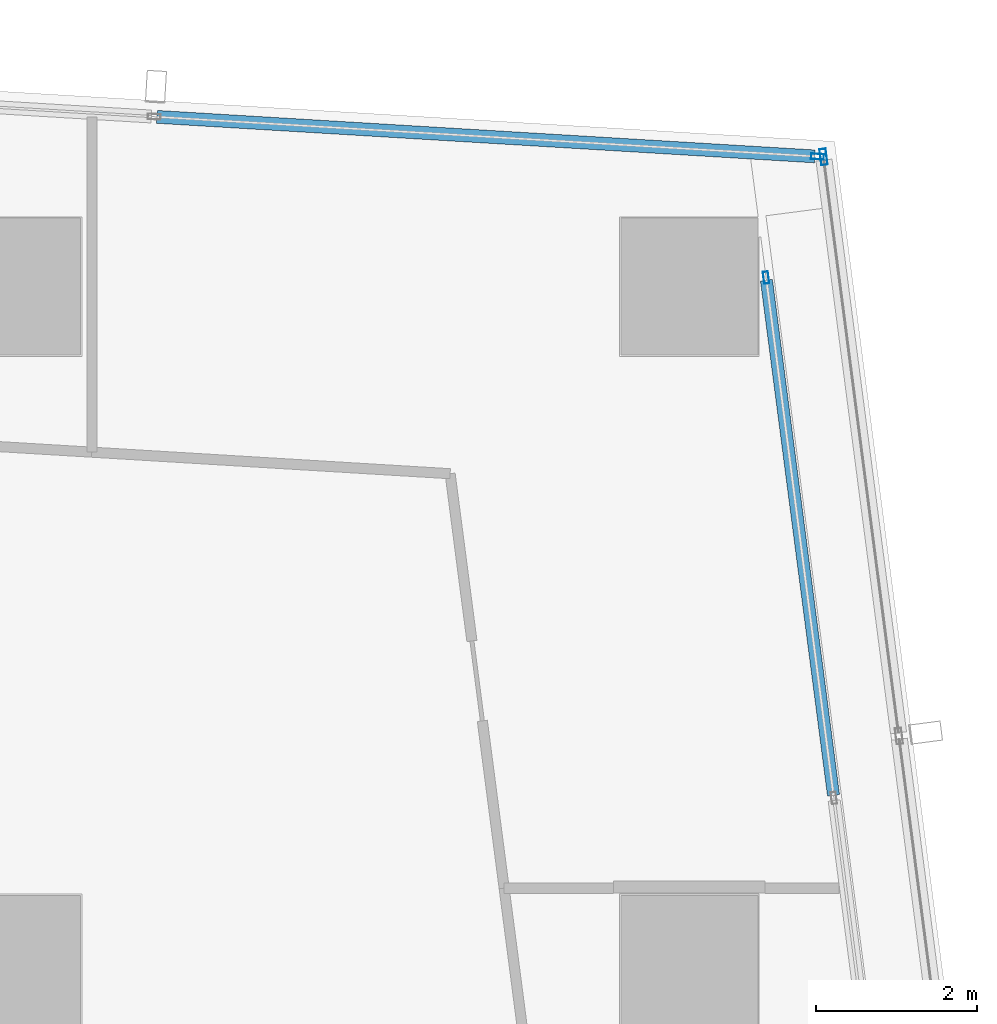
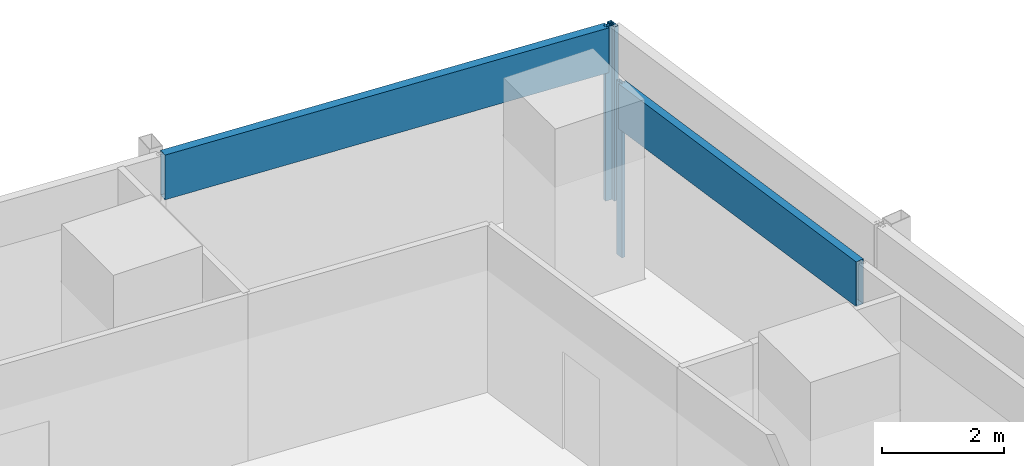
# One storey, part 20 of 40: 5 members, 3 elements without a shape of their own.
"""IFC4 building model written with IfcOpenShell, lengths in metres."""

from ifc_helpers import new_model, si_unit, direction, frame, origin, origin_2d, place, context, subcontext, project, spatial, hollow_rectangle, extrude, material, material_profile, profile_set, type_object, element, aggregate, save


model = new_model("IFC4")

# Units and contexts
model_context = context("Model", 3, precision=1e-05, world=origin(), true_north=direction((0.0, 1.0)))
body_context = subcontext(model_context, "Body", "Model", "MODEL_VIEW")
ifc_project = project(units=[si_unit("LENGTHUNIT", "METRE"), si_unit("AREAUNIT", "SQUARE_METRE"), si_unit("VOLUMEUNIT", "CUBIC_METRE"), si_unit("PLANEANGLEUNIT", "RADIAN"), si_unit("MASSUNIT", "GRAM", prefix="KILO")], contexts=[model_context])

# Site, building, storey
site_placement = place(None, origin())
site = spatial("IfcSite", under=ifc_project, at=site_placement, CompositionType="ELEMENT")
building_placement = place(site_placement, origin())
building = spatial("IfcBuilding", under=site, at=building_placement, Name="Rekha Terrace Tower", CompositionType="ELEMENT")
storey_placement = place(building_placement, frame((0.0, 0.0, 121.550048828125)))
storey = spatial("IfcBuildingStorey", under=building, at=storey_placement, Name="L30", CompositionType="ELEMENT", Elevation=121.550048828125)

# Curtain wall, members
ifc_material_1 = material(Name="Aluminium framing", Category="aluminium")
curtain_wall_type_1 = type_object("IfcCurtainWallType", Name="CW1 double skin inner glazing", PredefinedType="USERDEFINED", material=ifc_material_1)
curtain_wall_1_placement = place(storey_placement, origin())
curtain_wall_1 = element("IfcCurtainWall", 1, at=curtain_wall_1_placement, inside=storey, type_object=curtain_wall_type_1, Name="CW1 double skin inner glazing", ObjectType="DOUBLE SKIN INNER GLAZING", PredefinedType="USERDEFINED")
ifc_material_2 = material(Name="Aluminium mullion section", Category="aluminium")
ifc_material_profile_1 = material_profile(ifc_material_2, hollow_rectangle(XDim=0.06494140625, YDim=0.14990234375, WallThickness=0.00390625, at=origin_2d()), Name="AL RHS 65x150")
ifc_profile_set_1 = profile_set([ifc_material_profile_1], Name="Aluminium mullion section")
member_type_1 = type_object("IfcMemberType", Name="CW1 mullion RHS 65 x 150", PredefinedType="MULLION", material=ifc_profile_set_1)
member_1_placement = place(storey_placement, frame((68.15087890625, 58.910888671875, 0.0), z_axis=(0.0, 0.0, 1.0), x_axis=(-0.991629186237, -0.129118383675, 0.0)))
member_1 = element("IfcMember", 2, at=member_1_placement, type_object=member_type_1, Name="CW1 mullion 3", PredefinedType="MULLION", context=body_context, shape_type="SweptSolid", body=[
    extrude(hollow_rectangle(XDim=0.06494140625, YDim=0.14990234375, WallThickness=0.00390625, at=origin_2d()), origin(), (0.0, 0.0, 1.0), 3.5),
])
ifc_material_3 = material(Name="Insulated aluminium spandrel box", Category="aluminium")
ifc_material_profile_2 = material_profile(ifc_material_3, hollow_rectangle(XDim=0.14990234375, YDim=0.89990234375, WallThickness=0.0029296875, at=origin_2d()), Name="AL SPANDREL BOX 150x900")
ifc_profile_set_2 = profile_set([ifc_material_profile_2], Name="Insulated aluminium spandrel box")
member_type_2 = type_object("IfcMemberType", Name="CW1 spandrel transom 150 x 900", PredefinedType="USERDEFINED", material=ifc_profile_set_2)
member_2_placement = place(storey_placement, frame((68.987060546875, 52.48974609375, 3.050048828125), z_axis=(-0.129102663866, 0.991631232961, 0.0), x_axis=(-0.991631232961, -0.129102663866, 0.0)))
member_2 = element("IfcMember", 3, at=member_2_placement, type_object=member_type_2, Name="CW1 spandrel transom 2", ObjectType="TRANSOM", PredefinedType="USERDEFINED", context=body_context, shape_type="SweptSolid", body=[
    extrude(hollow_rectangle(XDim=0.14990234375, YDim=0.89990234375, WallThickness=0.0029296875, at=origin_2d()), origin(), (0.0, 0.0, 1.0), 6.44287109375),
])
aggregate(curtain_wall_1, [member_1, member_2])

# Curtain wall, member
curtain_wall_type_2 = type_object("IfcCurtainWallType", Name="CW2 double skin outer glazing", PredefinedType="USERDEFINED", material=ifc_material_1)
curtain_wall_2_placement = place(storey_placement, origin())
curtain_wall_2 = element("IfcCurtainWall", 4, at=curtain_wall_2_placement, inside=storey, type_object=curtain_wall_type_2, Name="CW2 double skin outer glazing", ObjectType="DOUBLE SKIN OUTER GLAZING", PredefinedType="USERDEFINED")
ifc_material_profile_3 = material_profile(ifc_material_2, hollow_rectangle(XDim=0.080078125, YDim=0.199951171875, WallThickness=0.00390625, at=origin_2d()), Name="AL RHS 80x200")
ifc_profile_set_3 = profile_set([ifc_material_profile_3], Name="Aluminium mullion section")
member_type_3 = type_object("IfcMemberType", Name="CW2 mullion RHS 80 x 200", PredefinedType="MULLION", material=ifc_profile_set_3)
member_3_placement = place(storey_placement, frame((68.863525390625, 60.408447265625, 0.0), z_axis=(0.0, 0.0, 1.0), x_axis=(-0.991629186244, -0.129118383623, 0.0)))
member_3 = element("IfcMember", 5, at=member_3_placement, type_object=member_type_3, Name="CW2 mullion 3", PredefinedType="MULLION", context=body_context, shape_type="SweptSolid", body=[
    extrude(hollow_rectangle(XDim=0.080078125, YDim=0.199951171875, WallThickness=0.00390625, at=origin_2d()), origin(), (0.0, 0.0, 1.0), 3.5),
])
aggregate(curtain_wall_2, [member_3])

# Curtain wall, members
curtain_wall_type_3 = type_object("IfcCurtainWallType", Name="CW3 north unitised glazing", PredefinedType="USERDEFINED", material=ifc_material_1)
curtain_wall_3_placement = place(storey_placement, origin())
curtain_wall_3 = element("IfcCurtainWall", 6, at=curtain_wall_3_placement, inside=storey, type_object=curtain_wall_type_3, Name="CW3 unitised curtain wall", ObjectType="UNITISED CURTAIN WALL", PredefinedType="USERDEFINED")
ifc_material_profile_4 = material_profile(ifc_material_2, hollow_rectangle(XDim=0.070068359375, YDim=0.159912109375, WallThickness=0.00390625, at=origin_2d()), Name="AL RHS 70x160")
ifc_profile_set_4 = profile_set([ifc_material_profile_4], Name="Aluminium mullion section")
member_type_4 = type_object("IfcMemberType", Name="CW3 mullion RHS 70 x 160", PredefinedType="MULLION", material=ifc_profile_set_4)
member_4_placement = place(storey_placement, frame((68.7880859375, 60.412353515625, 0.0), z_axis=(0.0, 0.0, 1.0), x_axis=(-0.059987926837, -0.998199102701, 0.0)))
member_4 = element("IfcMember", 7, at=member_4_placement, type_object=member_type_4, Name="CW3 mullion 1", PredefinedType="MULLION", context=body_context, shape_type="SweptSolid", body=[
    extrude(hollow_rectangle(XDim=0.070068359375, YDim=0.159912109375, WallThickness=0.00390625, at=origin_2d()), origin(), (0.0, 0.0, 1.0), 3.5),
])
ifc_material_profile_5 = material_profile(ifc_material_3, hollow_rectangle(XDim=0.159912109375, YDim=0.89990234375, WallThickness=0.0029296875, at=origin_2d()), Name="AL SPANDREL BOX 160x900")
ifc_profile_set_5 = profile_set([ifc_material_profile_5], Name="Insulated aluminium spandrel box")
member_type_5 = type_object("IfcMemberType", Name="CW3 spandrel transom 160 x 900", PredefinedType="USERDEFINED", material=ifc_profile_set_5)
member_5_placement = place(storey_placement, frame((68.753173828125, 60.41455078125, 3.050048828125), z_axis=(-0.998198874769, 0.05999171951, 0.0), x_axis=(-0.05999171951, -0.998198874769, 0.0)))
member_5 = element("IfcMember", 8, at=member_5_placement, type_object=member_type_5, Name="CW3 spandrel transom 1", ObjectType="TRANSOM", PredefinedType="USERDEFINED", context=body_context, shape_type="SweptSolid", body=[
    extrude(hollow_rectangle(XDim=0.159912109375, YDim=0.89990234375, WallThickness=0.0029296875, at=origin_2d()), origin(), (0.0, 0.0, 1.0), 8.171630859375),
])
aggregate(curtain_wall_3, [member_4, member_5])

save(model, "model.ifc")
